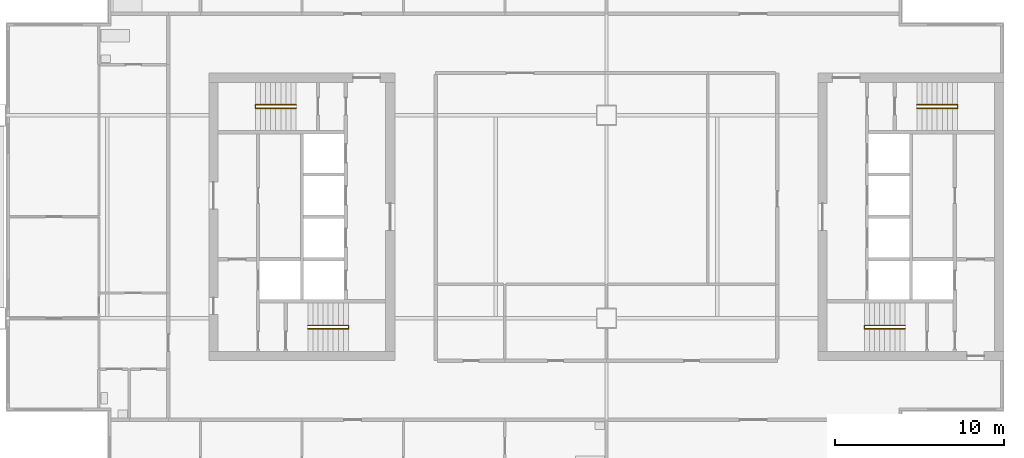
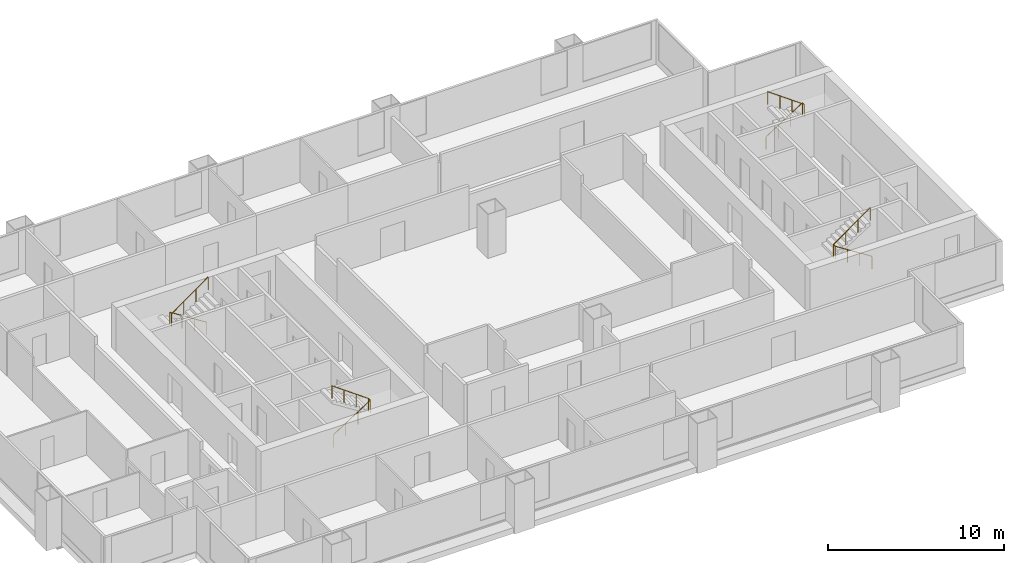
# One storey, part 7 of 8: 4 railings.
"""IFC4 building model written with IfcOpenShell, lengths in metres."""

from ifc_helpers import new_model, si_unit, direction, frame, origin, origin_2d, place, context, subcontext, project, spatial, circle, extrude, material, type_object, element, save


model = new_model("IFC4")

# Units and contexts
model_context = context("Model", 3, precision=1e-05, world=origin(), true_north=direction((0.0, 1.0)))
body_context = subcontext(model_context, "Body", "Model", "MODEL_VIEW")
ifc_project = project(units=[si_unit("LENGTHUNIT", "METRE"), si_unit("AREAUNIT", "SQUARE_METRE"), si_unit("VOLUMEUNIT", "CUBIC_METRE"), si_unit("PLANEANGLEUNIT", "RADIAN"), si_unit("MASSUNIT", "GRAM", prefix="KILO")], contexts=[model_context])

# Site, building, storey
site_placement = place(None, origin())
site = spatial("IfcSite", under=ifc_project, at=site_placement, CompositionType="ELEMENT")
building_placement = place(site_placement, origin())
building = spatial("IfcBuilding", under=site, at=building_placement, Name="Kitamizu Gate Tower and Museum", CompositionType="ELEMENT")
storey_placement = place(building_placement, frame((0.0, 0.0, 161.699951171875)))
storey = spatial("IfcBuildingStorey", under=building, at=storey_placement, Name="L42", CompositionType="ELEMENT", Elevation=161.699951171875)

# Railings
ifc_material = material(Name="Stainless steel SUS304", Category="steel")
railing_type = type_object("IfcRailingType", Name="Stair handrail 900", PredefinedType="HANDRAIL", material=ifc_material)
railing_1_placement = place(storey_placement, frame((18.35009765625, 23.375, 0.191650390625)))
element("IfcRailing", 1, at=railing_1_placement, inside=storey, type_object=railing_type, Name="Stair handrail ST1", PredefinedType="HANDRAIL", context=body_context, shape_type="SweptSolid", body=[
    extrude(circle(Radius=0.02392578125, at=origin_2d()), frame((0.0, 0.0, 0.8759765625), z_axis=(0.842668169335, 0.0, 0.538433242278), x_axis=(0.0, 1.0, 0.0)), (0.0, 0.0, 1.0), 2.847900390625),
    extrude(circle(Radius=0.02392578125, at=origin_2d()), frame((2.39990234375, 0.0, 2.4091796875), z_axis=(0.0, 1.0, 0.0), x_axis=(-1.0, 0.0, 0.0)), (0.0, 0.0, 1.0), 0.199951171875),
    extrude(circle(Radius=0.02392578125, at=origin_2d()), frame((2.39990234375, 0.199951171875, 2.4091796875), z_axis=(-0.81202760531, 0.0, 0.583619026604), x_axis=(0.0, -1.0, 0.0)), (0.0, 0.0, 1.0), 2.955322265625),
    extrude(circle(Radius=0.02099609375, at=origin_2d()), origin(), (0.0, 0.0, 1.0), 0.851806640625),
    extrude(circle(Radius=0.02099609375, at=origin_2d()), frame((0.800048828125, 0.0, 0.51123046875)), (0.0, 0.0, 1.0), 0.851806640625),
    extrude(circle(Radius=0.02099609375, at=origin_2d()), frame((1.599853515625, 0.0, 1.022216796875)), (0.0, 0.0, 1.0), 0.851806640625),
    extrude(circle(Radius=0.02099609375, at=origin_2d()), frame((2.39990234375, 0.0, 1.533447265625)), (0.0, 0.0, 1.0), 0.851806640625),
    extrude(circle(Radius=0.02099609375, at=origin_2d()), frame((2.39990234375, 0.199951171875, 1.533447265625)), (0.0, 0.0, 1.0), 0.851806640625),
    extrude(circle(Radius=0.02099609375, at=origin_2d()), frame((1.599853515625, 0.199951171875, 2.1083984375)), (0.0, 0.0, 1.0), 0.851806640625),
    extrude(circle(Radius=0.02099609375, at=origin_2d()), frame((0.800048828125, 0.199951171875, 2.683349609375)), (0.0, 0.0, 1.0), 0.851806640625),
    extrude(circle(Radius=0.02099609375, at=origin_2d()), frame((0.0, 0.199951171875, 3.25830078125)), (0.0, 0.0, 1.0), 0.851806640625),
])
railing_2_placement = place(storey_placement, frame((17.64990234375, 36.625, 0.191650390625)))
element("IfcRailing", 2, at=railing_2_placement, inside=storey, type_object=railing_type, Name="Stair handrail ST2", PredefinedType="HANDRAIL", context=body_context, shape_type="SweptSolid", body=[
    extrude(circle(Radius=0.02392578125, at=origin_2d()), frame((0.0, 0.0, 0.8759765625), z_axis=(-0.842668169335, 0.0, 0.538433242278), x_axis=(0.0, -1.0, 0.0)), (0.0, 0.0, 1.0), 2.847900390625),
    extrude(circle(Radius=0.02392578125, at=origin_2d()), frame((-2.39990234375, 0.0, 2.4091796875), z_axis=(0.0, -1.0, 0.0), x_axis=(1.0, 0.0, 0.0)), (0.0, 0.0, 1.0), 0.199951171875),
    extrude(circle(Radius=0.02392578125, at=origin_2d()), frame((-2.39990234375, -0.199951171875, 2.4091796875), z_axis=(0.81202760531, 0.0, 0.583619026604), x_axis=(0.0, 1.0, 0.0)), (0.0, 0.0, 1.0), 2.955322265625),
    extrude(circle(Radius=0.02099609375, at=origin_2d()), origin(), (0.0, 0.0, 1.0), 0.851806640625),
    extrude(circle(Radius=0.02099609375, at=origin_2d()), frame((-0.800048828125, 0.0, 0.51123046875)), (0.0, 0.0, 1.0), 0.851806640625),
    extrude(circle(Radius=0.02099609375, at=origin_2d()), frame((-1.599853515625, 0.0, 1.022216796875)), (0.0, 0.0, 1.0), 0.851806640625),
    extrude(circle(Radius=0.02099609375, at=origin_2d()), frame((-2.39990234375, 0.0, 1.533447265625)), (0.0, 0.0, 1.0), 0.851806640625),
    extrude(circle(Radius=0.02099609375, at=origin_2d()), frame((-2.39990234375, -0.199951171875, 1.533447265625)), (0.0, 0.0, 1.0), 0.851806640625),
    extrude(circle(Radius=0.02099609375, at=origin_2d()), frame((-1.599853515625, -0.199951171875, 2.1083984375)), (0.0, 0.0, 1.0), 0.851806640625),
    extrude(circle(Radius=0.02099609375, at=origin_2d()), frame((-0.800048828125, -0.199951171875, 2.683349609375)), (0.0, 0.0, 1.0), 0.851806640625),
    extrude(circle(Radius=0.02099609375, at=origin_2d()), frame((0.0, -0.199951171875, 3.25830078125)), (0.0, 0.0, 1.0), 0.851806640625),
])
railing_3_placement = place(storey_placement, frame((53.64990234375, 23.375, 0.191650390625)))
element("IfcRailing", 3, at=railing_3_placement, inside=storey, type_object=railing_type, Name="Stair handrail ST3", PredefinedType="HANDRAIL", context=body_context, shape_type="SweptSolid", body=[
    extrude(circle(Radius=0.02392578125, at=origin_2d()), frame((0.0, 0.0, 0.8759765625), z_axis=(-0.842668169335, 0.0, 0.538433242278), x_axis=(0.0, -1.0, 0.0)), (0.0, 0.0, 1.0), 2.847900390625),
    extrude(circle(Radius=0.02392578125, at=origin_2d()), frame((-2.39990234375, 0.0, 2.4091796875), z_axis=(0.0, 1.0, 0.0), x_axis=(-1.0, 0.0, 0.0)), (0.0, 0.0, 1.0), 0.199951171875),
    extrude(circle(Radius=0.02392578125, at=origin_2d()), frame((-2.39990234375, 0.199951171875, 2.4091796875), z_axis=(0.81202760531, 0.0, 0.583619026604), x_axis=(0.0, 1.0, 0.0)), (0.0, 0.0, 1.0), 2.955322265625),
    extrude(circle(Radius=0.02099609375, at=origin_2d()), origin(), (0.0, 0.0, 1.0), 0.851806640625),
    extrude(circle(Radius=0.02099609375, at=origin_2d()), frame((-0.800048828125, 0.0, 0.51123046875)), (0.0, 0.0, 1.0), 0.851806640625),
    extrude(circle(Radius=0.02099609375, at=origin_2d()), frame((-1.599853515625, 0.0, 1.022216796875)), (0.0, 0.0, 1.0), 0.851806640625),
    extrude(circle(Radius=0.02099609375, at=origin_2d()), frame((-2.39990234375, 0.0, 1.533447265625)), (0.0, 0.0, 1.0), 0.851806640625),
    extrude(circle(Radius=0.02099609375, at=origin_2d()), frame((-2.39990234375, 0.199951171875, 1.533447265625)), (0.0, 0.0, 1.0), 0.851806640625),
    extrude(circle(Radius=0.02099609375, at=origin_2d()), frame((-1.599853515625, 0.199951171875, 2.1083984375)), (0.0, 0.0, 1.0), 0.851806640625),
    extrude(circle(Radius=0.02099609375, at=origin_2d()), frame((-0.800048828125, 0.199951171875, 2.683349609375)), (0.0, 0.0, 1.0), 0.851806640625),
    extrude(circle(Radius=0.02099609375, at=origin_2d()), frame((0.0, 0.199951171875, 3.25830078125)), (0.0, 0.0, 1.0), 0.851806640625),
])
railing_4_placement = place(storey_placement, frame((54.35009765625, 36.625, 0.191650390625)))
element("IfcRailing", 4, at=railing_4_placement, inside=storey, type_object=railing_type, Name="Stair handrail ST4", PredefinedType="HANDRAIL", context=body_context, shape_type="SweptSolid", body=[
    extrude(circle(Radius=0.02392578125, at=origin_2d()), frame((0.0, 0.0, 0.8759765625), z_axis=(0.842668169335, 0.0, 0.538433242278), x_axis=(0.0, 1.0, 0.0)), (0.0, 0.0, 1.0), 2.847900390625),
    extrude(circle(Radius=0.02392578125, at=origin_2d()), frame((2.39990234375, 0.0, 2.4091796875), z_axis=(0.0, -1.0, 0.0), x_axis=(1.0, 0.0, 0.0)), (0.0, 0.0, 1.0), 0.199951171875),
    extrude(circle(Radius=0.02392578125, at=origin_2d()), frame((2.39990234375, -0.199951171875, 2.4091796875), z_axis=(-0.81202760531, 0.0, 0.583619026604), x_axis=(0.0, -1.0, 0.0)), (0.0, 0.0, 1.0), 2.955322265625),
    extrude(circle(Radius=0.02099609375, at=origin_2d()), origin(), (0.0, 0.0, 1.0), 0.851806640625),
    extrude(circle(Radius=0.02099609375, at=origin_2d()), frame((0.800048828125, 0.0, 0.51123046875)), (0.0, 0.0, 1.0), 0.851806640625),
    extrude(circle(Radius=0.02099609375, at=origin_2d()), frame((1.599853515625, 0.0, 1.022216796875)), (0.0, 0.0, 1.0), 0.851806640625),
    extrude(circle(Radius=0.02099609375, at=origin_2d()), frame((2.39990234375, 0.0, 1.533447265625)), (0.0, 0.0, 1.0), 0.851806640625),
    extrude(circle(Radius=0.02099609375, at=origin_2d()), frame((2.39990234375, -0.199951171875, 1.533447265625)), (0.0, 0.0, 1.0), 0.851806640625),
    extrude(circle(Radius=0.02099609375, at=origin_2d()), frame((1.599853515625, -0.199951171875, 2.1083984375)), (0.0, 0.0, 1.0), 0.851806640625),
    extrude(circle(Radius=0.02099609375, at=origin_2d()), frame((0.800048828125, -0.199951171875, 2.683349609375)), (0.0, 0.0, 1.0), 0.851806640625),
    extrude(circle(Radius=0.02099609375, at=origin_2d()), frame((0.0, -0.199951171875, 3.25830078125)), (0.0, 0.0, 1.0), 0.851806640625),
])

save(model, "model.ifc")
